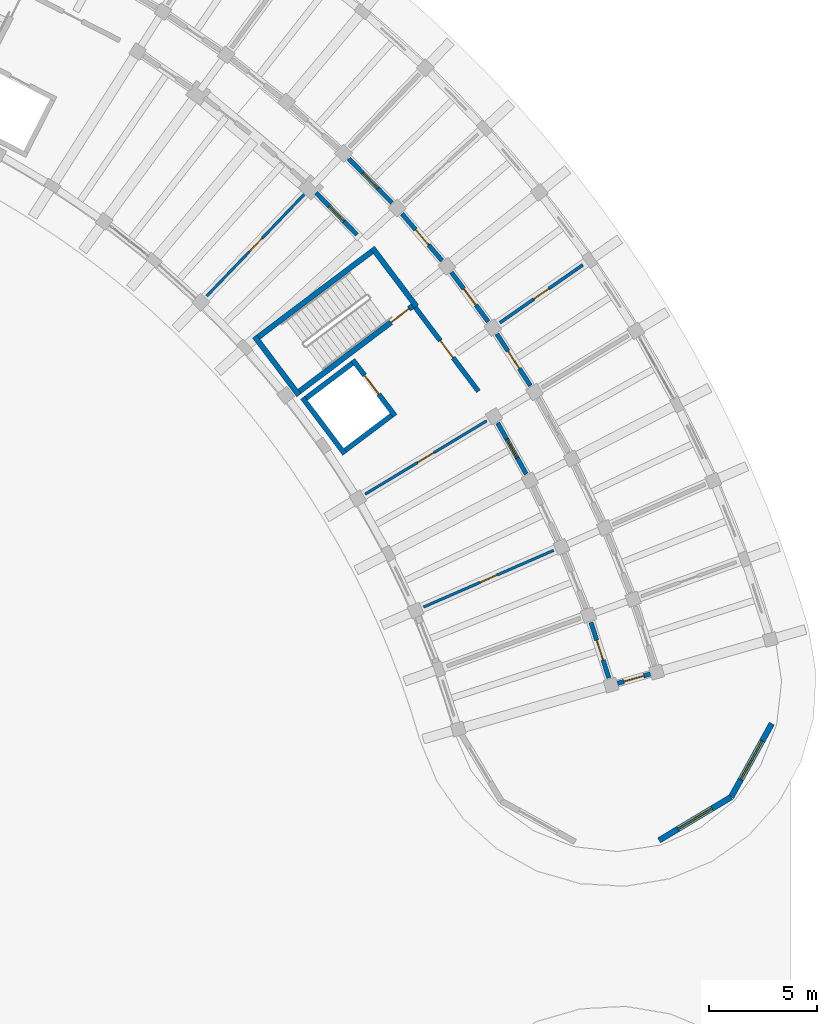
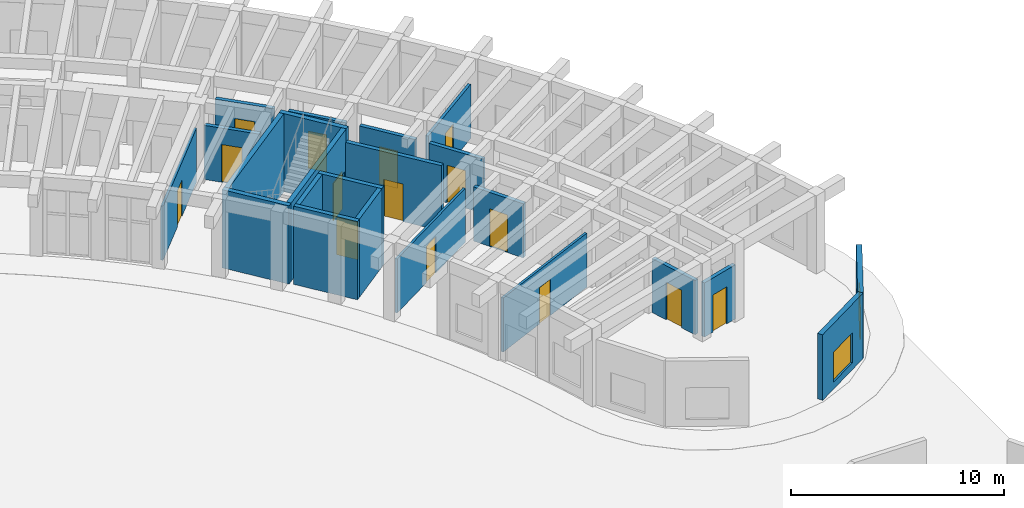
# One storey, part 105 of 132: 23 walls, 15 doors, 2 windows, 17 openings.
"""IFC4 building model written with IfcOpenShell, lengths in metres."""

from ifc_helpers import new_model, si_unit, direction, frame, frame_2d, origin, place, context, subcontext, project, spatial, rectangle, extrude, material, layer, layer_set, type_object, element, fill, save


model = new_model("IFC4")

# Units and contexts
model_context = context("Model", 3, precision=1e-05, world=origin(), true_north=direction((0.0, 1.0)))
body_context = subcontext(model_context, "Body", "Model", "MODEL_VIEW")
ifc_project = project(units=[si_unit("LENGTHUNIT", "METRE"), si_unit("AREAUNIT", "SQUARE_METRE"), si_unit("VOLUMEUNIT", "CUBIC_METRE"), si_unit("PLANEANGLEUNIT", "RADIAN"), si_unit("MASSUNIT", "GRAM", prefix="KILO")], contexts=[model_context])

# Site, building, storey
site_placement = place(None, origin())
site = spatial("IfcSite", under=ifc_project, at=site_placement, CompositionType="ELEMENT")
building_placement = place(site_placement, origin())
building = spatial("IfcBuilding", under=site, at=building_placement, Name="Tanwirah Colonnade Gardens", CompositionType="ELEMENT")
storey_placement = place(building_placement, origin())
storey = spatial("IfcBuildingStorey", under=building, at=storey_placement, Name="L00", CompositionType="ELEMENT", Elevation=0.0)

# Wall, opening, window
ifc_material_1 = material(Name="Limestone architectural precast concrete C40/50", Category="masonry")
ifc_layer_1 = layer(ifc_material_1, 0.27001953125)
ifc_layer_set_1 = layer_set([ifc_layer_1], Name="Limestone architectural precast concrete C40/50")
wall_type_1 = type_object("IfcWallType", Name="EW-PC270", PredefinedType="SOLIDWALL", material=ifc_layer_set_1)
wall_1_placement = place(storey_placement, frame((178.311279296875, 72.70654296875, 0.0), z_axis=(0.0, 0.0, 1.0), x_axis=(-0.484841794757, -0.874601871743, 0.0)))
wall_1 = element("IfcWall", 1, at=wall_1_placement, inside=storey, type_object=wall_type_1, Name="Block B L00 START Rounded End Wall 1", PredefinedType="SOLIDWALL", context=body_context, shape_type="SweptSolid", body=[
    extrude(rectangle(XDim=3.907958984375, YDim=0.27001953125, at=frame_2d((1.9541015625, 0.0))), origin(), (0.0, 0.0, 1.0), 3.7548828125),
])
opening_1_placement = place(wall_1_placement, frame((0.92919921875, 0.0, 0.39990234375)))
opening_1 = element("IfcOpeningElement", 2, at=opening_1_placement, cuts=wall_1, Name="Opening WIN-END3", PredefinedType="OPENING", context=body_context, shape_type="SweptSolid", body=[
    extrude(rectangle(XDim=2.050048828125, YDim=1.820068359375, at=frame_2d((1.02490234375, 0.91015625))), frame((0.0, 0.14501953125, 0.0), z_axis=(0.0, -1.0, 0.0), x_axis=(1.0, 0.0, 0.0)), (0.0, 0.0, 1.0), 0.2900390625),
])
ifc_material_2 = material(Name="Thermally broken bronze aluminium and solar low-E double glazing", Category="aluminium")
window_type_1 = type_object("IfcWindowType", Name="WIN-END3", PartitioningType="TRIPLE_PANEL_VERTICAL", PredefinedType="WINDOW", material=ifc_material_2)
window_1_placement = place(opening_1_placement, origin())
window_1 = element("IfcWindow", 3, at=window_1_placement, inside=storey, type_object=window_type_1, Name="Rounded corner window B-L00-START-1", OverallHeight=1.820068359375, OverallWidth=2.050048828125, PartitioningType="SINGLE_PANEL", PredefinedType="WINDOW", context=body_context, shape_type="SweptSolid", body=[
    extrude(rectangle(XDim=2.050048828125, YDim=1.820068359375, at=frame_2d((1.02490234375, 0.91015625))), frame((0.0, 0.030029296875, 0.0), z_axis=(0.0, -1.0, 0.0), x_axis=(1.0, 0.0, 0.0)), (0.0, 0.0, 1.0), 0.06005859375),
])
fill(opening_1, window_1)

wall_2_placement = place(storey_placement, frame((176.41650390625, 69.28857421875, 0.0), z_axis=(0.0, 0.0, 1.0), x_axis=(-0.85715098885, -0.515065221417, 0.0)))
wall_2 = element("IfcWall", 4, at=wall_2_placement, inside=storey, type_object=wall_type_1, Name="Block B L00 START Rounded End Wall 2", PredefinedType="SOLIDWALL", context=body_context, shape_type="SweptSolid", body=[
    extrude(rectangle(XDim=3.908203125, YDim=0.27001953125, at=frame_2d((1.9541015625, 0.0))), origin(), (0.0, 0.0, 1.0), 3.7548828125),
])
opening_2_placement = place(wall_2_placement, frame((1.029052734375, 0.0, 0.39990234375)))
opening_2 = element("IfcOpeningElement", 5, at=opening_2_placement, cuts=wall_2, Name="Opening WIN-END1", PredefinedType="OPENING", context=body_context, shape_type="SweptSolid", body=[
    extrude(rectangle(XDim=1.85009765625, YDim=1.719970703125, at=frame_2d((0.925048828125, 0.85986328125))), frame((0.0, 0.14501953125, 0.0), z_axis=(0.0, -1.0, 0.0), x_axis=(1.0, 0.0, 0.0)), (0.0, 0.0, 1.0), 0.2900390625),
])
window_type_2 = type_object("IfcWindowType", Name="WIN-END1", PartitioningType="TRIPLE_PANEL_VERTICAL", PredefinedType="WINDOW", material=ifc_material_2)
window_2_placement = place(opening_2_placement, origin())
window_2 = element("IfcWindow", 6, at=window_2_placement, inside=storey, type_object=window_type_2, Name="Rounded corner window B-L00-START-2", OverallHeight=1.719970703125, OverallWidth=1.85009765625, PartitioningType="SINGLE_PANEL", PredefinedType="WINDOW", context=body_context, shape_type="SweptSolid", body=[
    extrude(rectangle(XDim=1.85009765625, YDim=1.719970703125, at=frame_2d((0.925048828125, 0.85986328125))), frame((0.0, 0.030029296875, 0.0), z_axis=(0.0, -1.0, 0.0), x_axis=(1.0, 0.0, 0.0)), (0.0, 0.0, 1.0), 0.06005859375),
])
fill(opening_2, window_2)

# Wall, opening, door
ifc_material_3 = material(Name="Precast concrete C40/50", Category="concrete")
ifc_layer_2 = layer(ifc_material_3, 0.205078125)
ifc_layer_set_2 = layer_set([ifc_layer_2], Name="Precast concrete C40/50")
wall_type_2 = type_object("IfcWallType", Name="IW-CORR205", PredefinedType="PARTITIONING", material=ifc_layer_set_2)
wall_3_placement = place(storey_placement, frame((170.73388671875, 74.824951171875, 0.0), z_axis=(0.0, 0.0, 1.0), x_axis=(-0.307186478934, 0.95164934044, 0.0)))
wall_3 = element("IfcWall", 7, at=wall_3_placement, inside=storey, type_object=wall_type_2, Name="Block B L00 IN Corridor Wall 0", PredefinedType="PARTITIONING", context=body_context, shape_type="SweptSolid", body=[
    extrude(rectangle(XDim=2.718017578125, YDim=0.205078125, at=frame_2d((1.35888671875, 0.0))), origin(), (0.0, 0.0, 1.0), 3.10009765625),
])
opening_3_placement = place(wall_3_placement, frame((0.8740234375, 0.0, 0.0)))
opening_3 = element("IfcOpeningElement", 8, at=opening_3_placement, cuts=wall_3, Name="Opening L00-AD793", PredefinedType="OPENING", context=body_context, shape_type="SweptSolid", body=[
    extrude(rectangle(XDim=0.969970703125, YDim=2.14990234375, at=frame_2d((0.48486328125, 1.074951171875))), frame((0.0, 0.112548828125, 0.0), z_axis=(0.0, -1.0, 0.0), x_axis=(1.0, 0.0, 0.0)), (0.0, 0.0, 1.0), 0.22509765625),
])
ifc_material_4 = material(Name="Solid oak fire-resisting apartment entrance door")
door_type_1 = type_object("IfcDoorType", Name="ID-FLT097", OperationType="NOTDEFINED", PredefinedType="DOOR", material=ifc_material_4)
door_1_placement = place(opening_3_placement, origin())
door_1 = element("IfcDoor", 9, at=door_1_placement, inside=storey, type_object=door_type_1, Name="Apartment corridor door L00-AD793", OperationType="SINGLE_SWING_RIGHT", OverallHeight=2.14990234375, OverallWidth=0.969970703125, PredefinedType="DOOR", context=body_context, shape_type="SweptSolid", body=[
    extrude(rectangle(XDim=0.969970703125, YDim=2.14990234375, at=frame_2d((0.48486328125, 1.074951171875))), frame((0.0, 0.02490234375, 0.0), z_axis=(0.0, -1.0, 0.0), x_axis=(1.0, 0.0, 0.0)), (0.0, 0.0, 1.0), 0.050048828125),
])
fill(opening_3, door_1)

wall_4_placement = place(storey_placement, frame((166.89013671875, 84.313232421875, 0.0), z_axis=(0.0, 0.0, 1.0), x_axis=(-0.48819576874, 0.872734147025, 0.0)))
wall_4 = element("IfcWall", 10, at=wall_4_placement, inside=storey, type_object=wall_type_2, Name="Block B L00 IN Corridor Wall 3", PredefinedType="PARTITIONING", context=body_context, shape_type="SweptSolid", body=[
    extrude(rectangle(XDim=2.718017578125, YDim=0.205078125, at=frame_2d((1.35888671875, 0.0))), origin(), (0.0, 0.0, 1.0), 3.10009765625),
])
opening_4_placement = place(wall_4_placement, frame((0.864013671875, 0.0, 0.0)))
opening_4 = element("IfcOpeningElement", 11, at=opening_4_placement, cuts=wall_4, Name="Opening L00-AD801", PredefinedType="OPENING", context=body_context, shape_type="SweptSolid", body=[
    extrude(rectangle(XDim=0.989990234375, YDim=2.159912109375, at=frame_2d((0.4951171875, 1.080078125))), frame((0.0, 0.112548828125, 0.0), z_axis=(0.0, -1.0, 0.0), x_axis=(1.0, 0.0, 0.0)), (0.0, 0.0, 1.0), 0.22509765625),
])
door_type_2 = type_object("IfcDoorType", Name="ID-FLT099", OperationType="NOTDEFINED", PredefinedType="DOOR", material=ifc_material_4)
door_2_placement = place(opening_4_placement, origin())
door_2 = element("IfcDoor", 12, at=door_2_placement, inside=storey, type_object=door_type_2, Name="Apartment corridor door L00-AD801", OperationType="SINGLE_SWING_LEFT", OverallHeight=2.159912109375, OverallWidth=0.989990234375, PredefinedType="DOOR", context=body_context, shape_type="SweptSolid", body=[
    extrude(rectangle(XDim=0.989990234375, YDim=2.159912109375, at=frame_2d((0.4951171875, 1.080078125))), frame((0.0, 0.02490234375, 0.0), z_axis=(0.0, -1.0, 0.0), x_axis=(1.0, 0.0, 0.0)), (0.0, 0.0, 1.0), 0.050048828125),
])
fill(opening_4, door_2)

wall_5_placement = place(storey_placement, frame((167.085205078125, 88.421142578125, 0.0), z_axis=(0.0, 0.0, 1.0), x_axis=(-0.544643612649, 0.838667595178, 0.0)))
wall_5 = element("IfcWall", 13, at=wall_5_placement, inside=storey, type_object=wall_type_2, Name="Block B L00 OUT Corridor Wall 4", PredefinedType="PARTITIONING", context=body_context, shape_type="SweptSolid", body=[
    extrude(rectangle(XDim=2.863037109375, YDim=0.205078125, at=frame_2d((1.431640625, 0.0))), origin(), (0.0, 0.0, 1.0), 3.10009765625),
])
opening_5_placement = place(wall_5_placement, frame((0.946533203125, 0.0, 0.0)))
opening_5 = element("IfcOpeningElement", 14, at=opening_5_placement, cuts=wall_5, Name="Opening L00-AD803", PredefinedType="OPENING", context=body_context, shape_type="SweptSolid", body=[
    extrude(rectangle(XDim=0.969970703125, YDim=2.14990234375, at=frame_2d((0.48486328125, 1.074951171875))), frame((0.0, 0.112548828125, 0.0), z_axis=(0.0, -1.0, 0.0), x_axis=(1.0, 0.0, 0.0)), (0.0, 0.0, 1.0), 0.22509765625),
])
door_3_placement = place(opening_5_placement, origin())
door_3 = element("IfcDoor", 15, at=door_3_placement, inside=storey, type_object=door_type_1, Name="Apartment corridor door L00-AD803", OperationType="SINGLE_SWING_LEFT", OverallHeight=2.14990234375, OverallWidth=0.969970703125, PredefinedType="DOOR", context=body_context, shape_type="SweptSolid", body=[
    extrude(rectangle(XDim=0.969970703125, YDim=2.14990234375, at=frame_2d((0.48486328125, 1.074951171875))), frame((0.0, 0.02490234375, 0.0), z_axis=(0.0, -1.0, 0.0), x_axis=(1.0, 0.0, 0.0)), (0.0, 0.0, 1.0), 0.050048828125),
])
fill(opening_5, door_3)

wall_6_placement = place(storey_placement, frame((165.125732421875, 91.396240234375, 0.0), z_axis=(0.0, 0.0, 1.0), x_axis=(-0.598757763243, 0.800930172335, 0.0)))
wall_6 = element("IfcWall", 16, at=wall_6_placement, inside=storey, type_object=wall_type_2, Name="Block B L00 OUT Corridor Wall 5", PredefinedType="PARTITIONING", context=body_context, shape_type="SweptSolid", body=[
    extrude(rectangle(XDim=2.86328125, YDim=0.205078125, at=frame_2d((1.431640625, 0.0))), origin(), (0.0, 0.0, 1.0), 3.10009765625),
])
opening_6_placement = place(wall_6_placement, frame((0.95654296875, 0.0, 0.0)))
opening_6 = element("IfcOpeningElement", 17, at=opening_6_placement, cuts=wall_6, Name="Opening L00-AD805", PredefinedType="OPENING", context=body_context, shape_type="SweptSolid", body=[
    extrude(rectangle(XDim=0.949951171875, YDim=2.1298828125, at=frame_2d((0.47509765625, 1.06494140625))), frame((0.0, 0.112548828125, 0.0), z_axis=(0.0, -1.0, 0.0), x_axis=(1.0, 0.0, 0.0)), (0.0, 0.0, 1.0), 0.22509765625),
])
door_type_3 = type_object("IfcDoorType", Name="ID-FLT095", OperationType="NOTDEFINED", PredefinedType="DOOR", material=ifc_material_4)
door_4_placement = place(opening_6_placement, origin())
door_4 = element("IfcDoor", 18, at=door_4_placement, inside=storey, type_object=door_type_3, Name="Apartment corridor door L00-AD805", OperationType="SINGLE_SWING_RIGHT", OverallHeight=2.1298828125, OverallWidth=0.949951171875, PredefinedType="DOOR", context=body_context, shape_type="SweptSolid", body=[
    extrude(rectangle(XDim=0.949951171875, YDim=2.1298828125, at=frame_2d((0.47509765625, 1.06494140625))), frame((0.0, 0.02490234375, 0.0), z_axis=(0.0, -1.0, 0.0), x_axis=(1.0, 0.0, 0.0)), (0.0, 0.0, 1.0), 0.050048828125),
])
fill(opening_6, door_4)

wall_7_placement = place(storey_placement, frame((162.974365234375, 94.23583984375, 0.0), z_axis=(0.0, 0.0, 1.0), x_axis=(-0.650194272684, 0.759767996015, 0.0)))
wall_7 = element("IfcWall", 19, at=wall_7_placement, inside=storey, type_object=wall_type_2, Name="Block B L00 OUT Corridor Wall 6", PredefinedType="PARTITIONING", context=body_context, shape_type="SweptSolid", body=[
    extrude(rectangle(XDim=2.863037109375, YDim=0.205078125, at=frame_2d((1.431640625, 0.0))), origin(), (0.0, 0.0, 1.0), 3.10009765625),
])
opening_7_placement = place(wall_7_placement, frame((0.966552734375, 0.0, 0.0)))
opening_7 = element("IfcOpeningElement", 20, at=opening_7_placement, cuts=wall_7, Name="Opening L00-AD806", PredefinedType="OPENING", context=body_context, shape_type="SweptSolid", body=[
    extrude(rectangle(XDim=0.929931640625, YDim=2.1201171875, at=frame_2d((0.46484375, 1.06005859375))), frame((0.0, 0.112548828125, 0.0), z_axis=(0.0, -1.0, 0.0), x_axis=(1.0, 0.0, 0.0)), (0.0, 0.0, 1.0), 0.22509765625),
])
door_type_4 = type_object("IfcDoorType", Name="ID-FLT093", OperationType="NOTDEFINED", PredefinedType="DOOR", material=ifc_material_4)
door_5_placement = place(opening_7_placement, origin())
door_5 = element("IfcDoor", 21, at=door_5_placement, inside=storey, type_object=door_type_4, Name="Apartment corridor door L00-AD806", OperationType="SINGLE_SWING_LEFT", OverallHeight=2.1201171875, OverallWidth=0.929931640625, PredefinedType="DOOR", context=body_context, shape_type="SweptSolid", body=[
    extrude(rectangle(XDim=0.929931640625, YDim=2.1201171875, at=frame_2d((0.46484375, 1.06005859375))), frame((0.0, 0.02490234375, 0.0), z_axis=(0.0, -1.0, 0.0), x_axis=(1.0, 0.0, 0.0)), (0.0, 0.0, 1.0), 0.050048828125),
])
fill(opening_7, door_5)

wall_8_placement = place(storey_placement, frame((160.640625, 96.92724609375, 0.0), z_axis=(0.0, 0.0, 1.0), x_axis=(-0.698787219683, 0.715329589496, 0.0)))
wall_8 = element("IfcWall", 22, at=wall_8_placement, inside=storey, type_object=wall_type_2, Name="Block B L00 OUT Corridor Wall 7", PredefinedType="PARTITIONING", context=body_context, shape_type="SweptSolid", body=[
    extrude(rectangle(XDim=2.863037109375, YDim=0.205078125, at=frame_2d((1.431640625, 0.0))), origin(), (0.0, 0.0, 1.0), 3.10009765625),
])
opening_8_placement = place(wall_8_placement, frame((0.9365234375, 0.0, 0.0)))
opening_8 = element("IfcOpeningElement", 23, at=opening_8_placement, cuts=wall_8, Name="Opening L00-AD808", PredefinedType="OPENING", context=body_context, shape_type="SweptSolid", body=[
    extrude(rectangle(XDim=0.989990234375, YDim=2.159912109375, at=frame_2d((0.4951171875, 1.080078125))), frame((0.0, 0.112548828125, 0.0), z_axis=(0.0, -1.0, 0.0), x_axis=(1.0, 0.0, 0.0)), (0.0, 0.0, 1.0), 0.22509765625),
])
door_6_placement = place(opening_8_placement, origin())
door_6 = element("IfcDoor", 24, at=door_6_placement, inside=storey, type_object=door_type_2, Name="Apartment corridor door L00-AD808", OperationType="SINGLE_SWING_RIGHT", OverallHeight=2.159912109375, OverallWidth=0.989990234375, PredefinedType="DOOR", context=body_context, shape_type="SweptSolid", body=[
    extrude(rectangle(XDim=0.989990234375, YDim=2.159912109375, at=frame_2d((0.4951171875, 1.080078125))), frame((0.0, 0.02490234375, 0.0), z_axis=(0.0, -1.0, 0.0), x_axis=(1.0, 0.0, 0.0)), (0.0, 0.0, 1.0), 0.050048828125),
])
fill(opening_8, door_6)

wall_9_placement = place(storey_placement, frame((159.01708984375, 95.442626953125, 0.0), z_axis=(0.0, 0.0, 1.0), x_axis=(-0.698840007829, 0.715278018296, 0.0)))
wall_9 = element("IfcWall", 25, at=wall_9_placement, inside=storey, type_object=wall_type_2, Name="Block B L00 IN Corridor Wall 7", PredefinedType="PARTITIONING", context=body_context, shape_type="SweptSolid", body=[
    extrude(rectangle(XDim=2.718017578125, YDim=0.205078125, at=frame_2d((1.35888671875, 0.0))), origin(), (0.0, 0.0, 1.0), 3.10009765625),
])
opening_9_placement = place(wall_9_placement, frame((0.864013671875, 0.0, 0.0)))
opening_9 = element("IfcOpeningElement", 26, at=opening_9_placement, cuts=wall_9, Name="Opening L00-AD809", PredefinedType="OPENING", context=body_context, shape_type="SweptSolid", body=[
    extrude(rectangle(XDim=0.989990234375, YDim=2.159912109375, at=frame_2d((0.4951171875, 1.080078125))), frame((0.0, 0.112548828125, 0.0), z_axis=(0.0, -1.0, 0.0), x_axis=(1.0, 0.0, 0.0)), (0.0, 0.0, 1.0), 0.22509765625),
])
door_7_placement = place(opening_9_placement, origin())
door_7 = element("IfcDoor", 27, at=door_7_placement, inside=storey, type_object=door_type_2, Name="Apartment corridor door L00-AD809", OperationType="SINGLE_SWING_LEFT", OverallHeight=2.159912109375, OverallWidth=0.989990234375, PredefinedType="DOOR", context=body_context, shape_type="SweptSolid", body=[
    extrude(rectangle(XDim=0.989990234375, YDim=2.159912109375, at=frame_2d((0.4951171875, 1.080078125))), frame((0.0, 0.02490234375, 0.0), z_axis=(0.0, -1.0, 0.0), x_axis=(1.0, 0.0, 0.0)), (0.0, 0.0, 1.0), 0.050048828125),
])
fill(opening_9, door_7)

wall_10_placement = place(storey_placement, frame((170.889404296875, 74.505615234375, 0.0), z_axis=(0.0, 0.0, 1.0), x_axis=(0.961264701934, 0.275626872449, 0.0)))
wall_10 = element("IfcWall", 28, at=wall_10_placement, inside=storey, type_object=wall_type_2, Name="Block B L00 CS Corner Suite Corridor Wall", PredefinedType="PARTITIONING", context=body_context, shape_type="SweptSolid", body=[
    extrude(rectangle(XDim=2.10009765625, YDim=0.205078125, at=frame_2d((1.050048828125, 0.0))), origin(), (0.0, 0.0, 1.0), 3.10009765625),
])
opening_10_placement = place(wall_10_placement, frame((0.570068359375, 0.0, 0.0)))
opening_10 = element("IfcOpeningElement", 29, at=opening_10_placement, cuts=wall_10, Name="Opening L00-CD832", PredefinedType="OPENING", context=body_context, shape_type="SweptSolid", body=[
    extrude(rectangle(XDim=0.949951171875, YDim=2.1298828125, at=frame_2d((0.47509765625, 1.06494140625))), frame((0.0, 0.112548828125, 0.0), z_axis=(0.0, -1.0, 0.0), x_axis=(1.0, 0.0, 0.0)), (0.0, 0.0, 1.0), 0.22509765625),
])
door_8_placement = place(opening_10_placement, origin())
door_8 = element("IfcDoor", 30, at=door_8_placement, inside=storey, type_object=door_type_3, Name="Corner suite entrance door L00-CD832", OperationType="SINGLE_SWING_LEFT", OverallHeight=2.1298828125, OverallWidth=0.949951171875, PredefinedType="DOOR", context=body_context, shape_type="SweptSolid", body=[
    extrude(rectangle(XDim=0.949951171875, YDim=2.1298828125, at=frame_2d((0.47509765625, 1.06494140625))), frame((0.0, 0.02490234375, 0.0), z_axis=(0.0, -1.0, 0.0), x_axis=(1.0, 0.0, 0.0)), (0.0, 0.0, 1.0), 0.050048828125),
])
fill(opening_10, door_8)

ifc_material_5 = material(Name="Autoclaved aerated masonry blockwork", Category="masonry")
ifc_layer_3 = layer(ifc_material_5, 0.219970703125)
ifc_layer_set_3 = layer_set([ifc_layer_3], Name="Autoclaved aerated masonry blockwork")
wall_type_3 = type_object("IfcWallType", Name="IW-FFL220", PredefinedType="PARTITIONING", material=ifc_layer_set_3)
wall_11_placement = place(storey_placement, frame((161.7177734375, 92.072509765625, 0.0), z_axis=(0.0, 0.0, 1.0), x_axis=(0.601792209296, -0.79865270101, 0.0)))
wall_11 = element("IfcWall", 31, at=wall_11_placement, inside=storey, type_object=wall_type_3, Name="CORE-B1 L00 Enclosed Lobby Fire Wall", PredefinedType="PARTITIONING", context=body_context, shape_type="SweptSolid", body=[
    extrude(rectangle(XDim=4.89990234375, YDim=0.219970703125, at=frame_2d((2.449951171875, 0.0))), origin(), (0.0, 0.0, 1.0), 3.739990234375),
])
opening_11_placement = place(wall_11_placement, frame((1.949951171875, 0.0, 0.0)))
opening_11 = element("IfcOpeningElement", 32, at=opening_11_placement, cuts=wall_11, Name="Opening L00-LD080", PredefinedType="OPENING", context=body_context, shape_type="SweptSolid", body=[
    extrude(rectangle(XDim=1.0, YDim=2.14990234375, at=frame_2d((0.5, 1.074951171875))), frame((0.0, 0.119873046875, 0.0), z_axis=(0.0, -1.0, 0.0), x_axis=(1.0, 0.0, 0.0)), (0.0, 0.0, 1.0), 0.239990234375),
])
ifc_material_6 = material(Name="Acoustic fire-resisting lobby door")
door_type_5 = type_object("IfcDoorType", Name="ID-FFL100", OperationType="NOTDEFINED", PredefinedType="DOOR", material=ifc_material_6)
door_9_placement = place(opening_11_placement, origin())
door_9 = element("IfcDoor", 33, at=door_9_placement, inside=storey, type_object=door_type_5, Name="CORE-B1 L00 Lobby Fire Door L00-LD080", OperationType="SINGLE_SWING_LEFT", OverallHeight=2.14990234375, OverallWidth=1.0, PredefinedType="DOOR", context=body_context, shape_type="SweptSolid", body=[
    extrude(rectangle(XDim=1.0, YDim=2.14990234375, at=frame_2d((0.5, 1.074951171875))), frame((0.0, 0.02490234375, 0.0), z_axis=(0.0, -1.0, 0.0), x_axis=(1.0, 0.0, 0.0)), (0.0, 0.0, 1.0), 0.050048828125),
])
fill(opening_11, door_9)

ifc_material_7 = material(Name="Moisture-resistant gypsum stud partition")
ifc_layer_4 = layer(ifc_material_7, 0.125)
ifc_layer_set_4 = layer_set([ifc_layer_4], Name="Moisture-resistant gypsum stud partition")
wall_type_4 = type_object("IfcWallType", Name="IW-INT125", PredefinedType="PARTITIONING", material=ifc_layer_set_4)
wall_12_placement = place(storey_placement, frame((162.11279296875, 78.123779296875, 0.0), z_axis=(0.0, 0.0, 1.0), x_axis=(0.916668515796, 0.399648385645, 0.0)))
wall_12 = element("IfcWall", 34, at=wall_12_placement, inside=storey, type_object=wall_type_4, Name="Block B L00 Inner Radial Partition 1", PredefinedType="PARTITIONING", context=body_context, shape_type="SweptSolid", body=[
    extrude(rectangle(XDim=6.60009765625, YDim=0.125, at=frame_2d((3.300048828125, 0.0))), origin(), (0.0, 0.0, 1.0), 3.10009765625),
])
opening_12_placement = place(wall_12_placement, frame((2.864990234375, 0.0, 0.0)))
opening_12 = element("IfcOpeningElement", 35, at=opening_12_placement, cuts=wall_12, Name="Opening L00-RD797", PredefinedType="OPENING", context=body_context, shape_type="SweptSolid", body=[
    extrude(rectangle(XDim=0.8701171875, YDim=2.080078125, at=frame_2d((0.43505859375, 1.0400390625))), frame((0.0, 0.072509765625, 0.0), z_axis=(0.0, -1.0, 0.0), x_axis=(1.0, 0.0, 0.0)), (0.0, 0.0, 1.0), 0.14501953125),
])
ifc_material_8 = material(Name="Painted hardwood study door", Category="wood")
door_type_6 = type_object("IfcDoorType", Name="ID-RM087", OperationType="NOTDEFINED", PredefinedType="DOOR", material=ifc_material_8)
door_10_placement = place(opening_12_placement, origin())
door_10 = element("IfcDoor", 36, at=door_10_placement, inside=storey, type_object=door_type_6, Name="Internal apartment door L00-RD797", OperationType="SINGLE_SWING_LEFT", OverallHeight=2.080078125, OverallWidth=0.8701171875, PredefinedType="DOOR", context=body_context, shape_type="SweptSolid", body=[
    extrude(rectangle(XDim=0.8701171875, YDim=2.080078125, at=frame_2d((0.43505859375, 1.0400390625))), frame((0.0, 0.02490234375, 0.0), z_axis=(0.0, -1.0, 0.0), x_axis=(1.0, 0.0, 0.0)), (0.0, 0.0, 1.0), 0.050048828125),
])
fill(opening_12, door_10)

wall_13_placement = place(storey_placement, frame((159.399169921875, 83.3740234375, 0.0), z_axis=(0.0, 0.0, 1.0), x_axis=(0.85616819337, 0.516697227263, 0.0)))
wall_13 = element("IfcWall", 37, at=wall_13_placement, inside=storey, type_object=wall_type_4, Name="Block B L00 Inner Radial Partition 3", PredefinedType="PARTITIONING", context=body_context, shape_type="SweptSolid", body=[
    extrude(rectangle(XDim=6.599853515625, YDim=0.125, at=frame_2d((3.2998046875, 0.0))), origin(), (0.0, 0.0, 1.0), 3.10009765625),
])
opening_13_placement = place(wall_13_placement, frame((2.85498046875, 0.0, 0.0)))
opening_13 = element("IfcOpeningElement", 38, at=opening_13_placement, cuts=wall_13, Name="Opening L00-RD802", PredefinedType="OPENING", context=body_context, shape_type="SweptSolid", body=[
    extrude(rectangle(XDim=0.889892578125, YDim=2.10009765625, at=frame_2d((0.44482421875, 1.050048828125))), frame((0.0, 0.072509765625, 0.0), z_axis=(0.0, -1.0, 0.0), x_axis=(1.0, 0.0, 0.0)), (0.0, 0.0, 1.0), 0.14501953125),
])
ifc_material_9 = material(Name="Painted hardwood bedroom door", Category="wood")
door_type_7 = type_object("IfcDoorType", Name="ID-RM089", OperationType="NOTDEFINED", PredefinedType="DOOR", material=ifc_material_9)
door_11_placement = place(opening_13_placement, origin())
door_11 = element("IfcDoor", 39, at=door_11_placement, inside=storey, type_object=door_type_7, Name="Internal apartment door L00-RD802", OperationType="SINGLE_SWING_LEFT", OverallHeight=2.10009765625, OverallWidth=0.889892578125, PredefinedType="DOOR", context=body_context, shape_type="SweptSolid", body=[
    extrude(rectangle(XDim=0.889892578125, YDim=2.10009765625, at=frame_2d((0.44482421875, 1.050048828125))), frame((0.0, 0.02490234375, 0.0), z_axis=(0.0, -1.0, 0.0), x_axis=(1.0, 0.0, 0.0)), (0.0, 0.0, 1.0), 0.050048828125),
])
fill(opening_13, door_11)

wall_14_placement = place(storey_placement, frame((152.030029296875, 92.5830078125, 0.0), z_axis=(0.0, 0.0, 1.0), x_axis=(0.691872422458, 0.722019771919, 0.0)))
wall_14 = element("IfcWall", 40, at=wall_14_placement, inside=storey, type_object=wall_type_4, Name="Block B L00 Inner Radial Partition 7", PredefinedType="PARTITIONING", context=body_context, shape_type="SweptSolid", body=[
    extrude(rectangle(XDim=6.60009765625, YDim=0.125, at=frame_2d((3.300048828125, 0.0))), origin(), (0.0, 0.0, 1.0), 3.10009765625),
])
opening_14_placement = place(wall_14_placement, frame((2.864990234375, 0.0, 0.0)))
opening_14 = element("IfcOpeningElement", 41, at=opening_14_placement, cuts=wall_14, Name="Opening L00-RD810", PredefinedType="OPENING", context=body_context, shape_type="SweptSolid", body=[
    extrude(rectangle(XDim=0.8701171875, YDim=2.080078125, at=frame_2d((0.43505859375, 1.0400390625))), frame((0.0, 0.072509765625, 0.0), z_axis=(0.0, -1.0, 0.0), x_axis=(1.0, 0.0, 0.0)), (0.0, 0.0, 1.0), 0.14501953125),
])
door_12_placement = place(opening_14_placement, origin())
door_12 = element("IfcDoor", 42, at=door_12_placement, inside=storey, type_object=door_type_6, Name="Internal apartment door L00-RD810", OperationType="SINGLE_SWING_LEFT", OverallHeight=2.080078125, OverallWidth=0.8701171875, PredefinedType="DOOR", context=body_context, shape_type="SweptSolid", body=[
    extrude(rectangle(XDim=0.8701171875, YDim=2.080078125, at=frame_2d((0.43505859375, 1.0400390625))), frame((0.0, 0.02490234375, 0.0), z_axis=(0.0, -1.0, 0.0), x_axis=(1.0, 0.0, 0.0)), (0.0, 0.0, 1.0), 0.050048828125),
])
fill(opening_14, door_12)

ifc_material_10 = material(Name="Water-resistant acoustic plumbing partition")
ifc_layer_5 = layer(ifc_material_10, 0.14990234375)
ifc_layer_set_5 = layer_set([ifc_layer_5], Name="Water-resistant acoustic plumbing partition")
wall_type_5 = type_object("IfcWallType", Name="IW-WET150", PredefinedType="PLUMBINGWALL", material=ifc_layer_set_5)
wall_15_placement = place(storey_placement, frame((165.663330078125, 91.3447265625, 0.0), z_axis=(0.0, 0.0, 1.0), x_axis=(0.820272617205, 0.571972755876, 0.0)))
wall_15 = element("IfcWall", 43, at=wall_15_placement, inside=storey, type_object=wall_type_5, Name="Block B L00 Radial Partition 4", PredefinedType="PLUMBINGWALL", context=body_context, shape_type="SweptSolid", body=[
    extrude(rectangle(XDim=4.699951171875, YDim=0.14990234375, at=frame_2d((2.35009765625, 0.0))), origin(), (0.0, 0.0, 1.0), 3.10009765625),
])
opening_15_placement = place(wall_15_placement, frame((1.919921875, 0.0, 0.0)))
opening_15 = element("IfcOpeningElement", 44, at=opening_15_placement, cuts=wall_15, Name="Opening L00-RD804", PredefinedType="OPENING", context=body_context, shape_type="SweptSolid", body=[
    extrude(rectangle(XDim=0.860107421875, YDim=2.06005859375, at=frame_2d((0.43017578125, 1.030029296875))), frame((0.0, 0.0849609375, 0.0), z_axis=(0.0, -1.0, 0.0), x_axis=(1.0, 0.0, 0.0)), (0.0, 0.0, 1.0), 0.169921875),
])
ifc_material_11 = material(Name="Moisture-resistant bathroom door")
door_type_8 = type_object("IfcDoorType", Name="ID-WET086", OperationType="NOTDEFINED", PredefinedType="DOOR", material=ifc_material_11)
door_13_placement = place(opening_15_placement, origin())
door_13 = element("IfcDoor", 45, at=door_13_placement, inside=storey, type_object=door_type_8, Name="Internal apartment door L00-RD804", OperationType="SINGLE_SWING_LEFT", OverallHeight=2.06005859375, OverallWidth=0.860107421875, PredefinedType="DOOR", context=body_context, shape_type="SweptSolid", body=[
    extrude(rectangle(XDim=0.860107421875, YDim=2.06005859375, at=frame_2d((0.43017578125, 1.030029296875))), frame((0.0, 0.02490234375, 0.0), z_axis=(0.0, -1.0, 0.0), x_axis=(1.0, 0.0, 0.0)), (0.0, 0.0, 1.0), 0.050048828125),
])
fill(opening_15, door_13)

# Walls
ifc_material_12 = material(Name="Concrete C45/55", Category="concrete")
ifc_layer_6 = layer(ifc_material_12, 0.25)
ifc_layer_set_6 = layer_set([ifc_layer_6], Name="Concrete C45/55")
wall_type_6 = type_object("IfcWallType", Name="SW-CORE250", PredefinedType="SHEAR", material=ifc_layer_set_6)
wall_16_placement = place(storey_placement, frame((159.706787109375, 94.657958984375, 0.0), z_axis=(0.0, 0.0, 1.0), x_axis=(-0.798639633744, -0.601809550782, 0.0)))
element("IfcWall", 46, at=wall_16_placement, inside=storey, type_object=wall_type_6, Name="CORE-B1 L00 Stair Shaft Shear Wall LEFT", PredefinedType="SHEAR", context=body_context, shape_type="SweptSolid", body=[
    extrude(rectangle(XDim=6.599853515625, YDim=0.25, at=frame_2d((3.2998046875, 0.0))), origin(), (0.0, 0.0, 1.0), 4.47998046875),
])
wall_17_placement = place(storey_placement, frame((154.2607421875, 90.710693359375, 0.0), z_axis=(0.0, 0.0, 1.0), x_axis=(0.601825826579, -0.798627368967, 0.0)))
element("IfcWall", 47, at=wall_17_placement, inside=storey, type_object=wall_type_6, Name="CORE-B1 L00 Stair Shaft Shear Wall FAR", PredefinedType="SHEAR", context=body_context, shape_type="SweptSolid", body=[
    extrude(rectangle(XDim=3.420166015625, YDim=0.25, at=frame_2d((1.7099609375, 0.0))), origin(), (0.0, 0.0, 1.0), 4.47998046875),
])
wall_18_placement = place(storey_placement, frame((159.7314453125, 94.8330078125, 0.0), z_axis=(0.0, 0.0, 1.0), x_axis=(0.601814606132, -0.798635824294, 0.0)))
element("IfcWall", 48, at=wall_18_placement, inside=storey, type_object=wall_type_6, Name="CORE-B1 L00 Stair Shaft Shear Wall NEAR", PredefinedType="SHEAR", context=body_context, shape_type="SweptSolid", body=[
    extrude(rectangle(XDim=3.419921875, YDim=0.25, at=frame_2d((1.7099609375, 0.0))), origin(), (0.0, 0.0, 1.0), 4.47998046875),
])

# Wall, opening, door
wall_19_placement = place(storey_placement, frame((161.614501953125, 92.126220703125, 0.0), z_axis=(0.0, 0.0, 1.0), x_axis=(-0.798639633744, -0.601809550782, 0.0)))
wall_19 = element("IfcWall", 49, at=wall_19_placement, inside=storey, type_object=wall_type_6, Name="CORE-B1 L00 Stair Shaft Shear Wall RIGHT", PredefinedType="SHEAR", context=body_context, shape_type="SweptSolid", body=[
    extrude(rectangle(XDim=6.599853515625, YDim=0.25, at=frame_2d((3.2998046875, 0.0))), origin(), (0.0, 0.0, 1.0), 4.47998046875),
])
opening_16_placement = place(wall_19_placement, frame((0.219970703125, 0.0, 0.0)))
opening_16 = element("IfcOpeningElement", 50, at=opening_16_placement, cuts=wall_19, Name="Opening L00-SD066", PredefinedType="OPENING", context=body_context, shape_type="SweptSolid", body=[
    extrude(rectangle(XDim=1.050048828125, YDim=2.14990234375, at=frame_2d((0.52490234375, 1.074951171875))), frame((0.0, 0.135009765625, 0.0), z_axis=(0.0, -1.0, 0.0), x_axis=(1.0, 0.0, 0.0)), (0.0, 0.0, 1.0), 0.27001953125),
])
ifc_material_13 = material(Name="Steel fire-resisting stair enclosure door", Category="steel")
door_type_9 = type_object("IfcDoorType", Name="ID-ST105", OperationType="NOTDEFINED", PredefinedType="DOOR", material=ifc_material_13)
door_14_placement = place(opening_16_placement, origin())
door_14 = element("IfcDoor", 51, at=door_14_placement, inside=storey, type_object=door_type_9, Name="CORE-B1 L00 Stair Fire Door L00-SD066", OperationType="SINGLE_SWING_LEFT", OverallHeight=2.14990234375, OverallWidth=1.050048828125, PredefinedType="DOOR", context=body_context, shape_type="SweptSolid", body=[
    extrude(rectangle(XDim=1.050048828125, YDim=2.14990234375, at=frame_2d((0.52490234375, 1.074951171875))), frame((0.0, 0.02490234375, 0.0), z_axis=(0.0, -1.0, 0.0), x_axis=(1.0, 0.0, 0.0)), (0.0, 0.0, 1.0), 0.050048828125),
])
fill(opening_16, door_14)

ifc_layer_7 = layer(ifc_material_12, 0.22998046875)
ifc_layer_set_7 = layer_set([ifc_layer_7], Name="Concrete C45/55")
wall_type_7 = type_object("IfcWallType", Name="SW-LIFT230", PredefinedType="SHEAR", material=ifc_layer_set_7)
wall_20_placement = place(storey_placement, frame((158.827392578125, 89.618896484375, 0.0), z_axis=(0.0, 0.0, 1.0), x_axis=(0.601819781152, -0.798631924615, 0.0)))
wall_20 = element("IfcWall", 52, at=wall_20_placement, inside=storey, type_object=wall_type_7, Name="CORE-B1 L00 Lift Shaft Wall FRONT", PredefinedType="SHEAR", context=body_context, shape_type="SweptSolid", body=[
    extrude(rectangle(XDim=3.260009765625, YDim=0.22998046875, at=frame_2d((1.6298828125, 0.0))), origin(), (0.0, 0.0, 1.0), 4.47998046875),
])
opening_17_placement = place(wall_20_placement, frame((0.89990234375, 0.0, 0.0)))
opening_17 = element("IfcOpeningElement", 53, at=opening_17_placement, cuts=wall_20, Name="Opening L00-LD-FL-B1", PredefinedType="OPENING", context=body_context, shape_type="SweptSolid", body=[
    extrude(rectangle(XDim=1.10009765625, YDim=2.14990234375, at=frame_2d((0.550048828125, 1.074951171875))), frame((0.0, 0.125, 0.0), z_axis=(0.0, -1.0, 0.0), x_axis=(1.0, 0.0, 0.0)), (0.0, 0.0, 1.0), 0.25),
])
ifc_material_14 = material(Name="Stainless steel sliding fire lift landing door", Category="steel")
door_type_10 = type_object("IfcDoorType", Name="LD-FF11", OperationType="DOUBLE_DOOR_SLIDING", PredefinedType="DOOR", material=ifc_material_14)
door_15_placement = place(opening_17_placement, origin())
door_15 = element("IfcDoor", 54, at=door_15_placement, inside=storey, type_object=door_type_10, Name="Lift FL-B1 L00 Sliding Landing Door", OperationType="DOUBLE_DOOR_SLIDING", OverallHeight=2.14990234375, OverallWidth=1.10009765625, PredefinedType="DOOR", context=body_context, shape_type="SweptSolid", body=[
    extrude(rectangle(XDim=1.10009765625, YDim=2.14990234375, at=frame_2d((0.550048828125, 1.074951171875))), frame((0.0, 0.02490234375, 0.0), z_axis=(0.0, -1.0, 0.0), x_axis=(1.0, 0.0, 0.0)), (0.0, 0.0, 1.0), 0.050048828125),
])
fill(opening_17, door_15)

# Walls
wall_21_placement = place(storey_placement, frame((156.4873046875, 87.855712890625, 0.0), z_axis=(0.0, 0.0, 1.0), x_axis=(0.601819781152, -0.798631924615, 0.0)))
element("IfcWall", 55, at=wall_21_placement, inside=storey, type_object=wall_type_7, Name="CORE-B1 L00 Lift Shaft Wall BACK", PredefinedType="SHEAR", context=body_context, shape_type="SweptSolid", body=[
    extrude(rectangle(XDim=3.260009765625, YDim=0.22998046875, at=frame_2d((1.6298828125, 0.0))), origin(), (0.0, 0.0, 1.0), 4.47998046875),
])
for number, where, z_axis, x_axis, name in (
    (56, (158.8046875, 89.4580078125, 0.0), (0.0, 0.0, 1.0), (-0.798608971494, -0.601850239387, 0.0), "CORE-B1 L00 Lift Shaft Wall SIDEA"),
    (57, (160.628173828125, 87.0380859375, 0.0), (0.0, 0.0, 1.0), (-0.798608971494, -0.601850239387, 0.0), "CORE-B1 L00 Lift Shaft Wall SIDEB"),
):
    element("IfcWall", number, at=place(storey_placement, frame(where, z_axis=z_axis, x_axis=x_axis)), inside=storey, type_object=wall_type_7, Name=name, PredefinedType="SHEAR", context=body_context, shape_type="SweptSolid", body=[
        extrude(rectangle(XDim=2.699951171875, YDim=0.22998046875, at=frame_2d((1.35009765625, 0.0))), origin(), (0.0, 0.0, 1.0), 4.47998046875),
    ])

save(model, "model.ifc")
